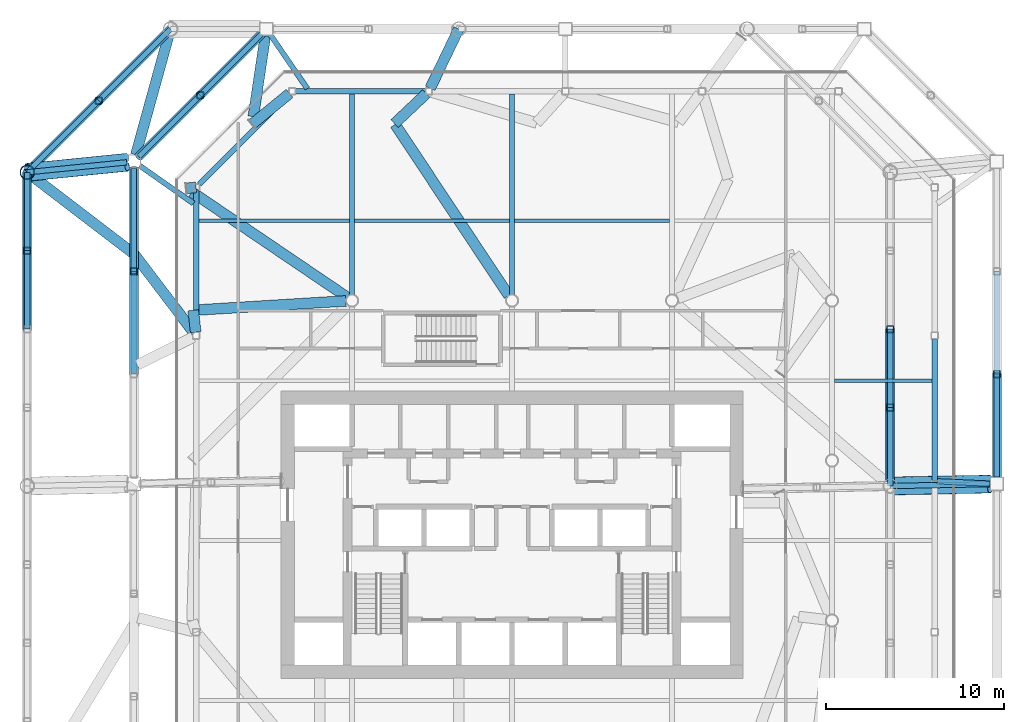
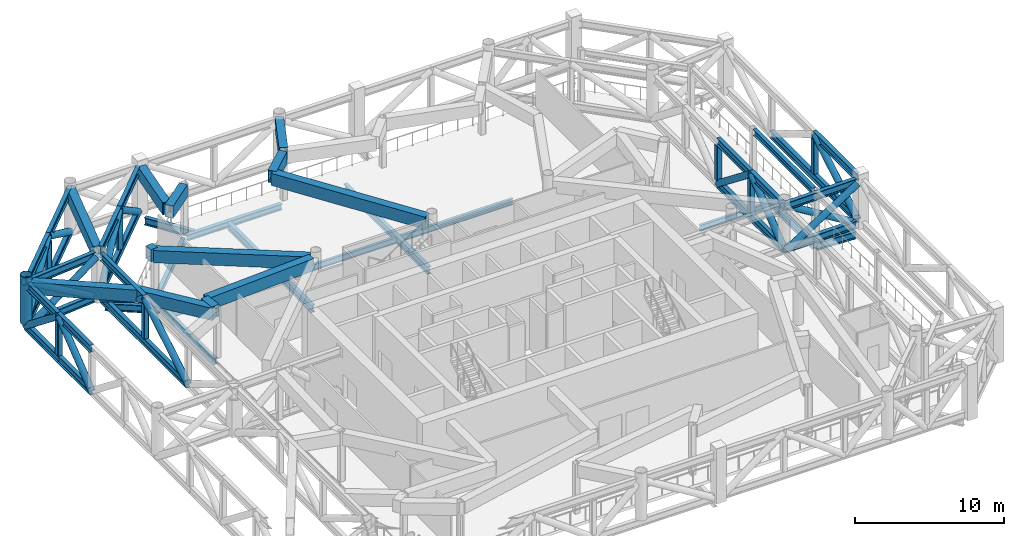
# One storey, part 6 of 21: 49 beams, 23 members.
"""IFC4 building model written with IfcOpenShell, lengths in metres."""

import ifcopenshell
import ifcopenshell.guid

model = None  # the IFC model being written
_history = None  # IfcOwnerHistory: only IFC2X3 demands one
_inside = {}  # id of a spatial element -> (the spatial element, [elements in it])
_under = {}  # id of a project, library or spatial element -> (it, [spatial elements below it])
_declared = {}  # id of a project -> (the project, [libraries it declares])
_typed = {}  # id of a type object -> (the type object, [elements of that type])
_made_of = {}  # id of a material, layer set ... -> (it, [elements and type objects made of it])


def new_model(schema):
    """Start an empty IFC model of exactly this schema.

    Asked for "IFC4X3", IfcOpenShell would pick the latest addendum, in which some entities
    have other attributes; the version numbers below select the first issue.
    IFC2X3 requires an IfcOwnerHistory on every rooted entity: one is made here for all.
    """
    global model, _history
    if schema == "IFC4X3":
        model = ifcopenshell.file(schema_version=(4, 3, 0, 0))
    else:
        model = ifcopenshell.file(schema=schema)
    _inside.clear()
    _under.clear()
    _declared.clear()
    _typed.clear()
    _made_of.clear()
    _history = None
    if model.schema == "IFC2X3":
        org = make("IfcOrganization", Name="unknown")
        user = make(
            "IfcPersonAndOrganization",
            ThePerson=make("IfcPerson", FamilyName="unknown"),
            TheOrganization=org,
        )
        app = make(
            "IfcApplication",
            ApplicationDeveloper=org,
            Version="unknown",
            ApplicationFullName="unknown",
            ApplicationIdentifier="unknown",
        )
        _history = make(
            "IfcOwnerHistory",
            OwningUser=user,
            OwningApplication=app,
            ChangeAction="ADDED",
            CreationDate=0,
        )
    return model


def make(cls, **values):
    """One entity of the class cls with the attributes given. An attribute that is None is left unset."""
    return model.create_entity(
        cls, **{name: value for name, value in values.items() if value is not None}
    )


def rooted(cls, **values):
    """An entity with a GlobalId (a new one), such as an element, a storey or a relation."""
    return make(cls, GlobalId=ifcopenshell.guid.new(), OwnerHistory=_history, **values)


def si_unit(unit_type, name, prefix=None):
    """IfcSIUnit, for example si_unit("LENGTHUNIT", "METRE", prefix="MILLI")."""
    return make("IfcSIUnit", UnitType=unit_type, Prefix=prefix, Name=name)


def assignment(units):
    """IfcUnitAssignment: the units of a project."""
    return None if units is None else make("IfcUnitAssignment", Units=units)


def point(xyz):
    """IfcCartesianPoint."""
    return None if xyz is None else make("IfcCartesianPoint", Coordinates=xyz)


def direction(xyz):
    """IfcDirection."""
    return None if xyz is None else make("IfcDirection", DirectionRatios=xyz)


def frame(location, z_axis=None, x_axis=None):
    """IfcAxis2Placement3D, a coordinate frame: its origin and axes. An axis left out is left unset."""
    return make(
        "IfcAxis2Placement3D",
        Location=point(location),
        Axis=direction(z_axis),
        RefDirection=direction(x_axis),
    )


def frame_2d(location, x_axis=None):
    """IfcAxis2Placement2D, a coordinate frame in the plane: its origin and x axis."""
    return make(
        "IfcAxis2Placement2D", Location=point(location), RefDirection=direction(x_axis)
    )


def origin():
    """The frame at (0, 0, 0) with its axes left unset."""
    return frame((0.0, 0.0, 0.0))


def origin_2d():
    """The frame at (0, 0) in the plane with its x axis left unset."""
    return frame_2d((0.0, 0.0))


def place(relative_to, where):
    """IfcLocalPlacement: puts the frame where relative to a parent placement (None: the world)."""
    return make(
        "IfcLocalPlacement", PlacementRelTo=relative_to, RelativePlacement=where
    )


def context(
    kind, dimensions, precision=None, world=None, true_north=None, identifier=None
):
    """IfcGeometricRepresentationContext, for example the 3D "Model" context."""
    return make(
        "IfcGeometricRepresentationContext",
        ContextIdentifier=identifier,
        ContextType=kind,
        CoordinateSpaceDimension=dimensions,
        Precision=precision,
        WorldCoordinateSystem=world,
        TrueNorth=true_north,
    )


def subcontext(parent, identifier, kind, view, scale=None):
    """IfcGeometricRepresentationSubContext, for example "Body" below "Model"."""
    return make(
        "IfcGeometricRepresentationSubContext",
        ContextIdentifier=identifier,
        ContextType=kind,
        ParentContext=parent,
        TargetScale=scale,
        TargetView=view,
    )


def project(units=None, contexts=None):
    """IfcProject with its units and contexts."""
    return rooted(
        "IfcProject",
        Name="project",
        RepresentationContexts=contexts,
        UnitsInContext=assignment(units),
    )


def spatial(cls, under=None, at=None, **own):
    """A site, building, storey or space (cls), placed at a placement, below another one or the project."""
    s = rooted(cls, ObjectPlacement=at, **own)
    if under is not None:
        _under.setdefault(under.id(), (under, []))[1].append(s)
    return s


def profile(cls, at=None, kind="AREA", **sizes):
    """A parametric profile (cls). Its sizes go by their IFC names, for example OverallWidth=200.0."""
    return make(cls, ProfileType=kind, Position=at, **sizes)


def hollow_rectangle(**sizes):
    """IfcRectangleHollowProfileDef."""
    return profile("IfcRectangleHollowProfileDef", **sizes)


def hollow_circle(**sizes):
    """IfcCircleHollowProfileDef."""
    return profile("IfcCircleHollowProfileDef", **sizes)


def i_section(**sizes):
    """IfcIShapeProfileDef."""
    return profile("IfcIShapeProfileDef", **sizes)


def extrude(swept, where, along, depth):
    """IfcExtrudedAreaSolid: the profile swept, set in the frame where, extruded along a direction by depth."""
    return make(
        "IfcExtrudedAreaSolid",
        SweptArea=swept,
        Position=where,
        ExtrudedDirection=direction(along),
        Depth=depth,
    )


def shape(context_of_items, identifier, shape_type, items):
    """IfcShapeRepresentation: the items that make up one representation, for example the "Body"."""
    return make(
        "IfcShapeRepresentation",
        ContextOfItems=context_of_items,
        RepresentationIdentifier=identifier,
        RepresentationType=shape_type,
        Items=items,
    )


def material(Name=None, Category=None):
    """IfcMaterial."""
    return make("IfcMaterial", Name=Name, Category=Category)


def material_profile(
    of_material, cross_section, Name=None, Category=None, Priority=None
):
    """IfcMaterialProfile: a cross section and its material."""
    return make(
        "IfcMaterialProfile",
        Name=Name,
        Material=of_material,
        Profile=cross_section,
        Priority=Priority,
        Category=Category,
    )


def profile_set(profiles, Name=None, composite=None):
    """IfcMaterialProfileSet."""
    return make(
        "IfcMaterialProfileSet",
        Name=Name,
        MaterialProfiles=profiles,
        CompositeProfile=composite,
    )


def made_of(thing, what):
    """Note that an element or type object is made of a material, layer set ...; save() writes the relation."""
    if what is not None:
        _made_of.setdefault(what.id(), (what, []))[1].append(thing)
    return thing


def type_object(cls, material=None, **own):
    """A type object (cls), such as IfcWallType, which elements share."""
    return made_of(rooted(cls, **own), material)


def element(
    cls,
    number,
    at=None,
    inside=None,
    cuts=None,
    type_object=None,
    material=None,
    context=None,
    identifier="Body",
    shape_type=None,
    held_by="IfcProductDefinitionShape",
    body=None,
    shapes=None,
    **own,
):
    """One element of the class cls, such as IfcWall. Its Tag is "e" and its number.

    at: its placement. inside: the storey or other place that contains it. cuts: it is an
    opening in that element (IfcRelVoidsElement). A single representation is given by context,
    identifier, shape_type and body (its items); several are given by shapes. held_by: the class
    of the entity that holds the representations. save() writes the other relations.
    """
    e = rooted(cls, Tag="e%d" % number, ObjectPlacement=at, **own)
    if body is not None:
        shapes = [shape(context, identifier, shape_type, body)]
    if shapes is not None:
        e.Representation = make(held_by, Representations=shapes)
    if inside is not None:
        _inside.setdefault(inside.id(), (inside, []))[1].append(e)
    if cuts is not None:
        rooted(
            "IfcRelVoidsElement", RelatingBuildingElement=cuts, RelatedOpeningElement=e
        )
    if type_object is not None:
        _typed.setdefault(type_object.id(), (type_object, []))[1].append(e)
    return made_of(e, material)


def aggregate(whole, parts):
    """IfcRelAggregates: a whole, such as a stair, and the parts it consists of."""
    return rooted("IfcRelAggregates", RelatingObject=whole, RelatedObjects=parts)


def save(model, path):
    """Write the relations noted so far, then the file.

    IfcRelAggregates (storeys below a building ...), IfcRelContainedInSpatialStructure (elements
    in a storey), IfcRelDefinesByType, IfcRelAssociatesMaterial and IfcRelDeclares: one each for
    every whole, place, type object, material and project.
    """
    for whole, parts in _under.values():
        aggregate(whole, parts)
    for where, things in _inside.values():
        rooted(
            "IfcRelContainedInSpatialStructure",
            RelatedElements=things,
            RelatingStructure=where,
        )
    for kind, things in _typed.values():
        rooted("IfcRelDefinesByType", RelatedObjects=things, RelatingType=kind)
    for what, things in _made_of.values():
        rooted("IfcRelAssociatesMaterial", RelatedObjects=things, RelatingMaterial=what)
    for by, libraries in _declared.values():
        rooted("IfcRelDeclares", RelatingContext=by, RelatedDefinitions=libraries)
    model.write(path)


model = new_model("IFC4")

# Units and contexts
model_context = context("Model", 3, precision=1e-05, world=origin(), true_north=direction((0.0, 1.0)))
body_context = subcontext(model_context, "Body", "Model", "MODEL_VIEW")
ifc_project = project(units=[si_unit("LENGTHUNIT", "METRE"), si_unit("AREAUNIT", "SQUARE_METRE"), si_unit("VOLUMEUNIT", "CUBIC_METRE"), si_unit("PLANEANGLEUNIT", "RADIAN"), si_unit("MASSUNIT", "GRAM", prefix="KILO")], contexts=[model_context])

# Site, building, storey
site_placement = place(None, origin())
site = spatial("IfcSite", under=ifc_project, at=site_placement, CompositionType="ELEMENT")
building_placement = place(site_placement, origin())
building = spatial("IfcBuilding", under=site, at=building_placement, Name="Tskaro Facet Tower", CompositionType="ELEMENT")
storey_placement = place(building_placement, frame((0.0, 0.0, 167.699951171875)))
storey = spatial("IfcBuildingStorey", under=building, at=storey_placement, Name="L41", CompositionType="ELEMENT", Elevation=167.699951171875)

# Beams
ifc_material_1 = material(Name="Steel S355J2", Category="steel")
ifc_material_profile_1 = material_profile(ifc_material_1, hollow_rectangle(XDim=0.60009765625, YDim=1.0, WallThickness=0.0400390625, at=origin_2d()), Name="BOX 600x1000x40")
ifc_profile_set_1 = profile_set([ifc_material_profile_1], Name="Steel S355J2")
beam_type_1 = type_object("IfcBeamType", Name="BOX 600x1000x40 transfer girder", PredefinedType="BEAM", material=ifc_profile_set_1)
beam_1_placement = place(storey_placement, frame((-18.31396484375, 15.31396484375, 3.580078125), z_axis=(0.995046093946, 0.099414641393, 0.0), x_axis=(-0.099414641393, 0.995046093946, 0.0)))
element("IfcBeam", 1, at=beam_1_placement, inside=storey, type_object=beam_type_1, Name="BOX 600x1000x40 TG4-1", PredefinedType="BEAM", context=body_context, shape_type="SweptSolid", body=[
    extrude(hollow_rectangle(XDim=0.60009765625, YDim=1.0, WallThickness=0.0400390625, at=origin_2d()), origin(), (0.0, 0.0, 1.0), 0.542724609375),
])
beam_2_placement = place(storey_placement, frame((-18.01611328125, 15.112060546875, 3.580078125), z_axis=(0.827734191557, -0.561120404305, 0.0), x_axis=(0.561120404305, 0.827734191557, 0.0)))
element("IfcBeam", 2, at=beam_2_placement, inside=storey, type_object=beam_type_1, Name="BOX 600x1000x40 TG4-2", PredefinedType="BEAM", context=body_context, shape_type="SweptSolid", body=[
    extrude(hollow_rectangle(XDim=0.60009765625, YDim=1.0, WallThickness=0.0400390625, at=origin_2d()), origin(), (0.0, 0.0, 1.0), 10.547119140625),
])
beam_3_placement = place(storey_placement, frame((-17.9375, 8.45361328125, 3.580078125), z_axis=(0.113761956799, -0.993508035793, 0.0), x_axis=(0.993508035793, 0.113761956799, 0.0)))
element("IfcBeam", 3, at=beam_3_placement, inside=storey, type_object=beam_type_1, Name="BOX 600x1000x40 TG4-9", PredefinedType="BEAM", context=body_context, shape_type="SweptSolid", body=[
    extrude(hollow_rectangle(XDim=0.60009765625, YDim=1.0, WallThickness=0.0400390625, at=origin_2d()), origin(), (0.0, 0.0, 1.0), 1.246826171875),
])
beam_4_placement = place(storey_placement, frame((-17.817626953125, 8.4609375, 3.580078125), z_axis=(0.998135828035, 0.061031703178, 0.0), x_axis=(-0.061031703178, 0.998135828035, 0.0)))
element("IfcBeam", 4, at=beam_4_placement, inside=storey, type_object=beam_type_1, Name="BOX 600x1000x40 TG4-10", PredefinedType="BEAM", context=body_context, shape_type="SweptSolid", body=[
    extrude(hollow_rectangle(XDim=0.60009765625, YDim=1.0, WallThickness=0.0400390625, at=origin_2d()), origin(), (0.0, 0.0, 1.0), 8.488525390625),
])
beam_5_placement = place(storey_placement, frame((-6.6142578125, 18.959716796875, 3.580078125), z_axis=(0.72866036985, 0.684875218861, 0.0), x_axis=(-0.684875218861, 0.72866036985, 0.0)))
element("IfcBeam", 5, at=beam_5_placement, inside=storey, type_object=beam_type_1, Name="BOX 600x1000x40 TG4-24", PredefinedType="BEAM", context=body_context, shape_type="SweptSolid", body=[
    extrude(hollow_rectangle(XDim=0.60009765625, YDim=1.0, WallThickness=0.0400390625, at=origin_2d()), origin(), (0.0, 0.0, 1.0), 2.458984375),
])
beam_6_placement = place(storey_placement, frame((-6.5810546875, 18.90966796875, 3.580078125), z_axis=(0.553221349964, -0.833034295779, 0.0), x_axis=(0.833034295779, 0.553221349964, 0.0)))
element("IfcBeam", 6, at=beam_6_placement, inside=storey, type_object=beam_type_1, Name="BOX 600x1000x40 TG4-25", PredefinedType="BEAM", context=body_context, shape_type="SweptSolid", body=[
    extrude(hollow_rectangle(XDim=0.60009765625, YDim=1.0, WallThickness=0.0400390625, at=origin_2d()), origin(), (0.0, 0.0, 1.0), 11.55029296875),
])
beam_7_placement = place(storey_placement, frame((-14.620361328125, 18.93115234375, 3.580078125), z_axis=(0.773921308764, 0.633281776022, 0.0), x_axis=(-0.633281776022, 0.773921308764, 0.0)))
element("IfcBeam", 7, at=beam_7_placement, inside=storey, type_object=beam_type_1, Name="BOX 600x1000x40 TG4-26", PredefinedType="BEAM", context=body_context, shape_type="SweptSolid", body=[
    extrude(hollow_rectangle(XDim=0.60009765625, YDim=1.0, WallThickness=0.0400390625, at=origin_2d()), origin(), (0.0, 0.0, 1.0), 2.72021484375),
])
beam_8_placement = place(storey_placement, frame((-14.55810546875, 19.3466796875, 3.580078125), z_axis=(0.148306673524, 0.988941419189, 0.0), x_axis=(-0.988941419189, 0.148306673524, 0.0)))
element("IfcBeam", 8, at=beam_8_placement, inside=storey, type_object=beam_type_1, Name="BOX 600x1000x40 TG4-27", PredefinedType="BEAM", context=body_context, shape_type="SweptSolid", body=[
    extrude(hollow_rectangle(XDim=0.60009765625, YDim=1.0, WallThickness=0.0400390625, at=origin_2d()), origin(), (0.0, 0.0, 1.0), 4.594482421875),
])
beam_9_placement = place(storey_placement, frame((-3.0, 24.27587890625, 3.580078125), z_axis=(-0.433366667075, -0.901217693939, 0.0), x_axis=(0.901217693939, -0.433366667075, 0.0)))
element("IfcBeam", 9, at=beam_9_placement, inside=storey, type_object=beam_type_1, Name="BOX 600x1000x40 TG4-31", PredefinedType="BEAM", context=body_context, shape_type="SweptSolid", body=[
    extrude(hollow_rectangle(XDim=0.60009765625, YDim=1.0, WallThickness=0.0400390625, at=origin_2d()), origin(), (0.0, 0.0, 1.0), 3.695556640625),
])
beam_10_placement = place(storey_placement, frame((-21.25048828125, 11.60791015625, 3.580078125), z_axis=(0.604429715741, -0.796658470569, 0.0), x_axis=(0.796658470569, 0.604429715741, 0.0)))
element("IfcBeam", 10, at=beam_10_placement, inside=storey, type_object=beam_type_1, Name="BOX 600x1000x40 TG4-43", PredefinedType="BEAM", context=body_context, shape_type="SweptSolid", body=[
    extrude(hollow_rectangle(XDim=0.60009765625, YDim=1.0, WallThickness=0.0400390625, at=origin_2d()), origin(), (0.0, 0.0, 1.0), 5.5615234375),
])
beam_11_placement = place(storey_placement, frame((-19.216064453125, 24.27587890625, 3.580078125), z_axis=(-0.266265501598, -0.963899726454, 0.0), x_axis=(0.963899726454, -0.266265501598, 0.0)))
element("IfcBeam", 11, at=beam_11_placement, inside=storey, type_object=beam_type_1, Name="BOX 600x1000x40 TG4-46", PredefinedType="BEAM", context=body_context, shape_type="SweptSolid", body=[
    extrude(hollow_rectangle(XDim=0.60009765625, YDim=1.0, WallThickness=0.0400390625, at=origin_2d()), origin(), (0.0, 0.0, 1.0), 7.34619140625),
])
beam_12_placement = place(storey_placement, frame((-27.27587890625, 16.216064453125, 3.580078125), z_axis=(0.794325857693, -0.607491919123, 0.0), x_axis=(0.607491919123, 0.794325857693, 0.0)))
element("IfcBeam", 12, at=beam_12_placement, inside=storey, type_object=beam_type_1, Name="BOX 600x1000x40 TG4-50", PredefinedType="BEAM", context=body_context, shape_type="SweptSolid", body=[
    extrude(hollow_rectangle(XDim=0.60009765625, YDim=1.0, WallThickness=0.0400390625, at=origin_2d()), origin(), (0.0, 0.0, 1.0), 7.58544921875),
])

# Members
ifc_material_2 = material(Name="Steel S355J2H", Category="steel")
ifc_material_profile_2 = material_profile(ifc_material_2, hollow_circle(Radius=0.25390625, WallThickness=0.02490234375, at=origin_2d()), Name="CHS 508x25")
ifc_profile_set_2 = profile_set([ifc_material_profile_2], Name="Steel S355J2H")
member_type_1 = type_object("IfcMemberType", Name="CHS 508x25 belt diagonal", PredefinedType="BRACE", material=ifc_profile_set_2)
member_1_placement = place(storey_placement, frame((27.27587890625, -0.916015625, 0.31005859375), z_axis=(0.0, 0.857953163996, 0.5137279128), x_axis=(-1.0, 0.0, 0.0)))
element("IfcMember", 13, at=member_1_placement, inside=storey, type_object=member_type_1, Name="CHS 508x25 BD3-051", PredefinedType="BRACE", context=body_context, shape_type="SweptSolid", body=[
    extrude(hollow_circle(Radius=0.25390625, WallThickness=0.02490234375, at=origin_2d()), origin(), (0.0, 0.0, 1.0), 6.735107421875),
])
for number, where, z_axis, x_axis, name in (
    (14, (-14.101806640625, 23.9931640625, 0.31005859375), (-0.576572998174, -0.576532147033, 0.578942364328), (0.707081730019, -0.707131831467, 0.0), "CHS 508x25 BD3-091"),
    (15, (-17.547607421875, 20.547607421875, 3.77001953125), (-0.576532147033, -0.576572998174, -0.578942364328), (0.707131831467, -0.707081730019, 0.0), "CHS 508x25 BD3-092"),
):
    element("IfcMember", number, at=place(storey_placement, frame(where, z_axis=z_axis, x_axis=x_axis)), inside=storey, type_object=member_type_1, Name=name, PredefinedType="BRACE", context=body_context, shape_type="SweptSolid", body=[
        extrude(hollow_circle(Radius=0.25390625, WallThickness=0.02490234375, at=origin_2d()), origin(), (0.0, 0.0, 1.0), 5.976318359375),
    ])
for number, where, z_axis, x_axis, name in (
    (16, (-21.27587890625, 16.4189453125, 0.31005859375), (0.0, -0.857953163996, 0.5137279128), (1.0, 0.0, 0.0), "CHS 508x25 BD3-101"),
    (17, (-21.27587890625, 10.640625, 3.77001953125), (0.0, -0.857953163996, -0.5137279128), (1.0, 0.0, 0.0), "CHS 508x25 BD3-102"),
):
    element("IfcMember", number, at=place(storey_placement, frame(where, z_axis=z_axis, x_axis=x_axis)), inside=storey, type_object=member_type_1, Name=name, PredefinedType="BRACE", context=body_context, shape_type="SweptSolid", body=[
        extrude(hollow_circle(Radius=0.25390625, WallThickness=0.02490234375, at=origin_2d()), origin(), (0.0, 0.0, 1.0), 6.735107421875),
    ])
for number, where, z_axis, x_axis, name in (
    (18, (21.27587890625, -1.43408203125, 0.31005859375), (0.0, 0.786931348807, 0.61704055966), (-1.0, 0.0, 0.0), "CHS 508x25 TB3-05-D1"),
    (19, (21.27587890625, 2.978515625, 3.77001953125), (0.0, 0.786931348807, -0.61704055966), (-1.0, 0.0, 0.0), "CHS 508x25 TB3-05-D2"),
):
    element("IfcMember", number, at=place(storey_placement, frame(where, z_axis=z_axis, x_axis=x_axis)), inside=storey, type_object=member_type_1, Name=name, PredefinedType="BRACE", context=body_context, shape_type="SweptSolid", body=[
        extrude(hollow_circle(Radius=0.25390625, WallThickness=0.02490234375, at=origin_2d()), origin(), (0.0, 0.0, 1.0), 5.607421875),
    ])
for number, where, z_axis, x_axis, name in (
    (20, (-19.216064453125, 24.27587890625, 0.31005859375), (-0.604455505084, -0.604418886952, 0.518952166841), (0.707085361822, -0.707128199903, 0.0), "CHS 508x25 TB3-09-D1"),
    (21, (-23.24609375, 20.24609375, 3.77001953125), (-0.604418886952, -0.604455505084, -0.518952166841), (0.707128199903, -0.707085361822, 0.0), "CHS 508x25 TB3-09-D2"),
):
    element("IfcMember", number, at=place(storey_placement, frame(where, z_axis=z_axis, x_axis=x_axis)), inside=storey, type_object=member_type_1, Name=name, PredefinedType="BRACE", context=body_context, shape_type="SweptSolid", body=[
        extrude(hollow_circle(Radius=0.25390625, WallThickness=0.02490234375, at=origin_2d()), origin(), (0.0, 0.0, 1.0), 6.667236328125),
    ])
member_2_placement = place(storey_placement, frame((-27.27587890625, 16.216064453125, 0.31005859375), z_axis=(0.0, -0.786931348807, 0.61704055966), x_axis=(1.0, 0.0, 0.0)))
element("IfcMember", 22, at=member_2_placement, inside=storey, type_object=member_type_1, Name="CHS 508x25 TB3-10-D1", PredefinedType="BRACE", context=body_context, shape_type="SweptSolid", body=[
    extrude(hollow_circle(Radius=0.25390625, WallThickness=0.02490234375, at=origin_2d()), origin(), (0.0, 0.0, 1.0), 5.607421875),
])
member_3_placement = place(storey_placement, frame((-27.27587890625, 11.803466796875, 3.77001953125), z_axis=(0.0, -0.7869147708, -0.617061701531), x_axis=(1.0, 0.0, 0.0)))
element("IfcMember", 23, at=member_3_placement, inside=storey, type_object=member_type_1, Name="CHS 508x25 TB3-10-D2", PredefinedType="BRACE", context=body_context, shape_type="SweptSolid", body=[
    extrude(hollow_circle(Radius=0.25390625, WallThickness=0.02490234375, at=origin_2d()), origin(), (0.0, 0.0, 1.0), 5.607177734375),
])
for number, where, z_axis, x_axis, name in (
    (24, (26.87109375, -1.06982421875, 0.31005859375), (-0.850605851025, -0.016724354295, 0.525537802804), (0.019657897417, -0.999806764865, 0.0), "CHS 508x25 TL3-05A-D1"),
    (25, (26.881103515625, -1.577880859375, 3.77001953125), (-0.850605851025, -0.016724354295, -0.525537802804), (0.019657897417, -0.999806764865, 0.0), "CHS 508x25 TL3-05A-D2"),
):
    element("IfcMember", number, at=place(storey_placement, frame(where, z_axis=z_axis, x_axis=x_axis)), inside=storey, type_object=member_type_1, Name=name, PredefinedType="BRACE", context=body_context, shape_type="SweptSolid", body=[
        extrude(hollow_circle(Radius=0.25390625, WallThickness=0.02490234375, at=origin_2d()), origin(), (0.0, 0.0, 1.0), 6.583740234375),
    ])
member_4_placement = place(storey_placement, frame((-21.699462890625, 17.03173828125, 0.31005859375), z_axis=(-0.847713672527, -0.085192527188, 0.52356829805), x_axis=(0.099993141267, -0.994988126411, 0.0)))
element("IfcMember", 26, at=member_4_placement, inside=storey, type_object=member_type_1, Name="CHS 508x25 TL3-10A-D1", PredefinedType="BRACE", context=body_context, shape_type="SweptSolid", body=[
    extrude(hollow_circle(Radius=0.25390625, WallThickness=0.02490234375, at=origin_2d()), origin(), (0.0, 0.0, 1.0), 6.6083984375),
])
member_5_placement = place(storey_placement, frame((-21.648681640625, 16.5263671875, 3.77001953125), z_axis=(-0.84770327672, -0.085195195298, -0.523584695475), x_axis=(0.099997455639, -0.994987692821, 0.0)))
element("IfcMember", 27, at=member_5_placement, inside=storey, type_object=member_type_1, Name="CHS 508x25 TL3-10A-D2", PredefinedType="BRACE", context=body_context, shape_type="SweptSolid", body=[
    extrude(hollow_circle(Radius=0.25390625, WallThickness=0.02490234375, at=origin_2d()), origin(), (0.0, 0.0, 1.0), 6.608154296875),
])
ifc_material_profile_3 = material_profile(ifc_material_2, hollow_circle(Radius=0.406494140625, WallThickness=0.035888671875, at=origin_2d()), Name="CHS 812.8x36")
ifc_profile_set_3 = profile_set([ifc_material_profile_3], Name="Steel S355J2H")
member_type_2 = type_object("IfcMemberType", Name="CHS 812.8x36 transfer node post", PredefinedType="POST", material=ifc_profile_set_3)
member_6_placement = place(storey_placement, frame((-27.27587890625, 16.216064453125, 0.6201171875), z_axis=(0.0, 0.0, 1.0), x_axis=(1.0, 0.0, 0.0)))
element("IfcMember", 28, at=member_6_placement, inside=storey, type_object=member_type_2, Name="CHS 812.8x36 TN3-10", PredefinedType="POST", context=body_context, shape_type="SweptSolid", body=[
    extrude(hollow_circle(Radius=0.406494140625, WallThickness=0.035888671875, at=origin_2d()), origin(), (0.0, 0.0, 1.0), 3.8798828125),
])

# Beams
ifc_material_profile_4 = material_profile(ifc_material_1, i_section(OverallWidth=0.300048828125, OverallDepth=0.5, WebThickness=0.014404296875, FlangeThickness=0.028076171875, FilletRadius=0.027099609375, at=origin_2d()), Name="HE 500 B")
ifc_profile_set_4 = profile_set([ifc_material_profile_4], Name="Steel S355J2")
beam_type_2 = type_object("IfcBeamType", Name="HE 500 B ring beam", PredefinedType="BEAM", material=ifc_profile_set_4)
beam_13_placement = place(storey_placement, frame((23.77392578125, -1.135986328125, -0.5), z_axis=(0.0, 1.0, 0.0), x_axis=(-1.0, 0.0, 0.0)))
element("IfcBeam", 29, at=beam_13_placement, inside=storey, type_object=beam_type_2, Name="HE 500 B EB8-3", PredefinedType="BEAM", context=body_context, shape_type="SweptSolid", body=[
    extrude(i_section(OverallWidth=0.300048828125, OverallDepth=0.5, WebThickness=0.014404296875, FlangeThickness=0.028076171875, FilletRadius=0.027099609375, at=origin_2d()), origin(), (0.0, 0.0, 1.0), 7.98193359375),
])
beam_14_placement = place(storey_placement, frame((-4.864013671875, 20.77392578125, -0.5), z_axis=(-1.0, 0.0, 0.0), x_axis=(0.0, -1.0, 0.0)))
element("IfcBeam", 30, at=beam_14_placement, inside=storey, type_object=beam_type_2, Name="HE 500 B EB14-3", PredefinedType="BEAM", context=body_context, shape_type="SweptSolid", body=[
    extrude(i_section(OverallWidth=0.300048828125, OverallDepth=0.5, WebThickness=0.014404296875, FlangeThickness=0.028076171875, FilletRadius=0.027099609375, at=origin_2d()), origin(), (0.0, 0.0, 1.0), 7.323974609375),
])
beam_15_placement = place(storey_placement, frame((-12.553955078125, 20.588134765625, -0.5), z_axis=(-0.707106781187, -0.707106781187, 0.0), x_axis=(0.707106781187, -0.707106781187, 0.0)))
element("IfcBeam", 31, at=beam_15_placement, inside=storey, type_object=beam_type_2, Name="HE 500 B EB15-3", PredefinedType="BEAM", context=body_context, shape_type="SweptSolid", body=[
    extrude(i_section(OverallWidth=0.300048828125, OverallDepth=0.5, WebThickness=0.014404296875, FlangeThickness=0.028076171875, FilletRadius=0.027099609375, at=origin_2d()), origin(), (0.0, 0.0, 1.0), 7.119384765625),
])
for number, where, z_axis, x_axis, name in (
    (32, (-17.77392578125, 15.18798828125, -0.5), (0.0, -1.0, 0.0), (1.0, 0.0, 0.0), "HE 500 B EB16-3"),
    (33, (23.77392578125, -1.135986328125, 4.0), (0.0, 1.0, 0.0), (-1.0, 0.0, 0.0), "HE 500 B EB8-3R"),
):
    element("IfcBeam", number, at=place(storey_placement, frame(where, z_axis=z_axis, x_axis=x_axis)), inside=storey, type_object=beam_type_2, Name=name, PredefinedType="BEAM", context=body_context, shape_type="SweptSolid", body=[
        extrude(i_section(OverallWidth=0.300048828125, OverallDepth=0.5, WebThickness=0.014404296875, FlangeThickness=0.028076171875, FilletRadius=0.027099609375, at=origin_2d()), origin(), (0.0, 0.0, 1.0), 7.98193359375),
    ])
ifc_material_profile_5 = material_profile(ifc_material_1, i_section(OverallWidth=0.300048828125, OverallDepth=0.590087890625, WebThickness=0.012939453125, FlangeThickness=0.02490234375, FilletRadius=0.027099609375, at=origin_2d()), Name="HE 600 A")
ifc_profile_set_5 = profile_set([ifc_material_profile_5], Name="Steel S355J2")
beam_type_3 = type_object("IfcBeamType", Name="HE 600 A girder", PredefinedType="BEAM", material=ifc_profile_set_5)
for number, where, z_axis, x_axis, name in (
    (34, (-9.0, 9.325439453125, -0.544921875), (0.0, 1.0, 0.0), (-1.0, 0.0, 0.0), "HE 600 A GB3-3-3"),
    (35, (0.0, 9.325439453125, -0.544921875), (0.0, 1.0, 0.0), (-1.0, 0.0, 0.0), "HE 600 A GB4-3-3"),
):
    element("IfcBeam", number, at=place(storey_placement, frame(where, z_axis=z_axis, x_axis=x_axis)), inside=storey, type_object=beam_type_3, Name=name, PredefinedType="BEAM", context=body_context, shape_type="SweptSolid", body=[
        extrude(i_section(OverallWidth=0.300048828125, OverallDepth=0.590087890625, WebThickness=0.012939453125, FlangeThickness=0.02490234375, FilletRadius=0.027099609375, at=origin_2d()), origin(), (0.0, 0.0, 1.0), 11.298583984375),
    ])
ifc_material_profile_6 = material_profile(ifc_material_1, i_section(OverallWidth=0.300048828125, OverallDepth=0.60009765625, WebThickness=0.015380859375, FlangeThickness=0.030029296875, FilletRadius=0.027099609375, at=origin_2d()), Name="HE 600 B")
ifc_profile_set_6 = profile_set([ifc_material_profile_6], Name="Steel S355J2")
beam_type_4 = type_object("IfcBeamType", Name="HE 600 B floor strut", PredefinedType="BEAM", material=ifc_profile_set_6)
beam_16_placement = place(storey_placement, frame((26.87646484375, -1.29833984375, -0.550048828125), z_axis=(-0.999019173568, 0.044279688831, 0.0), x_axis=(-0.044279688831, -0.999019173568, 0.0)))
element("IfcBeam", 36, at=beam_16_placement, inside=storey, type_object=beam_type_4, Name="HE 600 B ES3-05", PredefinedType="BEAM", context=body_context, shape_type="SweptSolid", body=[
    extrude(i_section(OverallWidth=0.300048828125, OverallDepth=0.60009765625, WebThickness=0.015380859375, FlangeThickness=0.030029296875, FilletRadius=0.027099609375, at=origin_2d()), origin(), (0.0, 0.0, 1.0), 2.955322265625),
])
beam_17_placement = place(storey_placement, frame((-13.5927734375, 23.946044921875, -0.550048828125), z_axis=(0.565719945605, -0.824597443087, 0.0), x_axis=(0.824597443087, 0.565719945605, 0.0)))
element("IfcBeam", 37, at=beam_17_placement, inside=storey, type_object=beam_type_4, Name="HE 600 B ES3-09", PredefinedType="BEAM", context=body_context, shape_type="SweptSolid", body=[
    extrude(i_section(OverallWidth=0.300048828125, OverallDepth=0.60009765625, WebThickness=0.015380859375, FlangeThickness=0.030029296875, FilletRadius=0.027099609375, at=origin_2d()), origin(), (0.0, 0.0, 1.0), 3.664794921875),
])
beam_18_placement = place(storey_placement, frame((-20.94873046875, 16.589111328125, -0.550048828125), z_axis=(0.81815391254, -0.574999282952, 0.0), x_axis=(0.574999282952, 0.81815391254, 0.0)))
element("IfcBeam", 38, at=beam_18_placement, inside=storey, type_object=beam_type_4, Name="HE 600 B ES3-10", PredefinedType="BEAM", context=body_context, shape_type="SweptSolid", body=[
    extrude(i_section(OverallWidth=0.300048828125, OverallDepth=0.60009765625, WebThickness=0.015380859375, FlangeThickness=0.030029296875, FilletRadius=0.027099609375, at=origin_2d()), origin(), (0.0, 0.0, 1.0), 3.697021484375),
])
ifc_material_profile_7 = material_profile(ifc_material_1, i_section(OverallWidth=0.304931640625, OverallDepth=0.6201171875, WebThickness=0.02099609375, FlangeThickness=0.0400390625, FilletRadius=0.027099609375, at=origin_2d()), Name="HE 600 M")
ifc_profile_set_7 = profile_set([ifc_material_profile_7], Name="Steel S355J2")
beam_type_5 = type_object("IfcBeamType", Name="HE 600 M belt chord", PredefinedType="BEAM", material=ifc_profile_set_7)
beam_19_placement = place(storey_placement, frame((27.27587890625, -0.916015625, 3.77001953125), z_axis=(0.0, 1.0, 0.0), x_axis=(-1.0, 0.0, 0.0)))
element("IfcBeam", 39, at=beam_19_placement, inside=storey, type_object=beam_type_5, Name="HE 600 M BT3-05T1", PredefinedType="BEAM", context=body_context, shape_type="SweptSolid", body=[
    extrude(i_section(OverallWidth=0.304931640625, OverallDepth=0.6201171875, WebThickness=0.02099609375, FlangeThickness=0.0400390625, FilletRadius=0.027099609375, at=origin_2d()), origin(), (0.0, 0.0, 1.0), 5.7783203125),
])
beam_20_placement = place(storey_placement, frame((27.27587890625, -0.916015625, 0.31005859375), z_axis=(0.0, 1.0, 0.0), x_axis=(-1.0, 0.0, 0.0)))
element("IfcBeam", 40, at=beam_20_placement, inside=storey, type_object=beam_type_5, Name="HE 600 M BT3-05B1", PredefinedType="BEAM", context=body_context, shape_type="SweptSolid", body=[
    extrude(i_section(OverallWidth=0.304931640625, OverallDepth=0.6201171875, WebThickness=0.02099609375, FlangeThickness=0.0400390625, FilletRadius=0.027099609375, at=origin_2d()), origin(), (0.0, 0.0, 1.0), 11.556640625),
])
for number, where, z_axis, x_axis, name in (
    (41, (-14.101806640625, 23.9931640625, 3.77001953125), (-0.707131831467, -0.707081730019, 0.0), (0.707081730019, -0.707131831467, 0.0), "HE 600 M BT3-09T1"),
    (42, (-17.547607421875, 20.547607421875, 3.77001953125), (-0.707081730019, -0.707131831467, 0.0), (0.707131831467, -0.707081730019, 0.0), "HE 600 M BT3-09T2"),
):
    element("IfcBeam", number, at=place(storey_placement, frame(where, z_axis=z_axis, x_axis=x_axis)), inside=storey, type_object=beam_type_5, Name=name, PredefinedType="BEAM", context=body_context, shape_type="SweptSolid", body=[
        extrude(i_section(OverallWidth=0.304931640625, OverallDepth=0.6201171875, WebThickness=0.02099609375, FlangeThickness=0.0400390625, FilletRadius=0.027099609375, at=origin_2d()), origin(), (0.0, 0.0, 1.0), 4.873046875),
    ])
beam_21_placement = place(storey_placement, frame((-14.101806640625, 23.9931640625, 0.31005859375), z_axis=(-0.707106781187, -0.707106781187, 0.0), x_axis=(0.707106781187, -0.707106781187, 0.0)))
element("IfcBeam", 43, at=beam_21_placement, inside=storey, type_object=beam_type_5, Name="HE 600 M BT3-09B1", PredefinedType="BEAM", context=body_context, shape_type="SweptSolid", body=[
    extrude(i_section(OverallWidth=0.304931640625, OverallDepth=0.6201171875, WebThickness=0.02099609375, FlangeThickness=0.0400390625, FilletRadius=0.027099609375, at=origin_2d()), origin(), (0.0, 0.0, 1.0), 9.745849609375),
])
beam_22_placement = place(storey_placement, frame((-21.27587890625, 16.4189453125, 3.77001953125), z_axis=(0.0, -1.0, 0.0), x_axis=(1.0, 0.0, 0.0)))
element("IfcBeam", 44, at=beam_22_placement, inside=storey, type_object=beam_type_5, Name="HE 600 M BT3-10T1", PredefinedType="BEAM", context=body_context, shape_type="SweptSolid", body=[
    extrude(i_section(OverallWidth=0.304931640625, OverallDepth=0.6201171875, WebThickness=0.02099609375, FlangeThickness=0.0400390625, FilletRadius=0.027099609375, at=origin_2d()), origin(), (0.0, 0.0, 1.0), 5.7783203125),
])
beam_23_placement = place(storey_placement, frame((-21.27587890625, 16.4189453125, 0.31005859375), z_axis=(0.0, -1.0, 0.0), x_axis=(1.0, 0.0, 0.0)))
element("IfcBeam", 45, at=beam_23_placement, inside=storey, type_object=beam_type_5, Name="HE 600 M BT3-10B1", PredefinedType="BEAM", context=body_context, shape_type="SweptSolid", body=[
    extrude(i_section(OverallWidth=0.304931640625, OverallDepth=0.6201171875, WebThickness=0.02099609375, FlangeThickness=0.0400390625, FilletRadius=0.027099609375, at=origin_2d()), origin(), (0.0, 0.0, 1.0), 11.556640625),
])
for number, where, z_axis, x_axis, name in (
    (46, (21.27587890625, -1.43408203125, 3.77001953125), (0.0, 1.0, 0.0), (-1.0, 0.0, 0.0), "HE 600 M TB3-05-T1"),
    (47, (21.27587890625, -1.43408203125, 0.31005859375), (0.0, 1.0, 0.0), (-1.0, 0.0, 0.0), "HE 600 M TB3-05-B1"),
    (48, (21.27587890625, 2.978515625, 3.77001953125), (0.0, 1.0, 0.0), (-1.0, 0.0, 0.0), "HE 600 M TB3-05-T2"),
    (49, (21.27587890625, 2.978515625, 0.31005859375), (0.0, 1.0, 0.0), (-1.0, 0.0, 0.0), "HE 600 M TB3-05-B2"),
):
    element("IfcBeam", number, at=place(storey_placement, frame(where, z_axis=z_axis, x_axis=x_axis)), inside=storey, type_object=beam_type_5, Name=name, PredefinedType="BEAM", context=body_context, shape_type="SweptSolid", body=[
        extrude(i_section(OverallWidth=0.304931640625, OverallDepth=0.6201171875, WebThickness=0.02099609375, FlangeThickness=0.0400390625, FilletRadius=0.027099609375, at=origin_2d()), origin(), (0.0, 0.0, 1.0), 4.41259765625),
    ])
for number, where, z_axis, x_axis, name in (
    (50, (-19.216064453125, 24.27587890625, 3.77001953125), (-0.707128199903, -0.707085361822, 0.0), (0.707085361822, -0.707128199903, 0.0), "HE 600 M TB3-09-T1"),
    (51, (-19.216064453125, 24.27587890625, 0.31005859375), (-0.707128199903, -0.707085361822, 0.0), (0.707085361822, -0.707128199903, 0.0), "HE 600 M TB3-09-B1"),
    (52, (-23.24609375, 20.24609375, 3.77001953125), (-0.707085361822, -0.707128199903, 0.0), (0.707128199903, -0.707085361822, 0.0), "HE 600 M TB3-09-T2"),
    (53, (-23.24609375, 20.24609375, 0.31005859375), (-0.707085361822, -0.707128199903, 0.0), (0.707128199903, -0.707085361822, 0.0), "HE 600 M TB3-09-B2"),
):
    element("IfcBeam", number, at=place(storey_placement, frame(where, z_axis=z_axis, x_axis=x_axis)), inside=storey, type_object=beam_type_5, Name=name, PredefinedType="BEAM", context=body_context, shape_type="SweptSolid", body=[
        extrude(i_section(OverallWidth=0.304931640625, OverallDepth=0.6201171875, WebThickness=0.02099609375, FlangeThickness=0.0400390625, FilletRadius=0.027099609375, at=origin_2d()), origin(), (0.0, 0.0, 1.0), 5.69921875),
    ])
for number, where, z_axis, x_axis, name in (
    (54, (-27.27587890625, 16.216064453125, 3.77001953125), (0.0, -1.0, 0.0), (1.0, 0.0, 0.0), "HE 600 M TB3-10-T1"),
    (55, (-27.27587890625, 16.216064453125, 0.31005859375), (0.0, -1.0, 0.0), (1.0, 0.0, 0.0), "HE 600 M TB3-10-B1"),
):
    element("IfcBeam", number, at=place(storey_placement, frame(where, z_axis=z_axis, x_axis=x_axis)), inside=storey, type_object=beam_type_5, Name=name, PredefinedType="BEAM", context=body_context, shape_type="SweptSolid", body=[
        extrude(i_section(OverallWidth=0.304931640625, OverallDepth=0.6201171875, WebThickness=0.02099609375, FlangeThickness=0.0400390625, FilletRadius=0.027099609375, at=origin_2d()), origin(), (0.0, 0.0, 1.0), 4.41259765625),
    ])
for number, where, z_axis, x_axis, name in (
    (56, (-27.27587890625, 11.803466796875, 3.77001953125), (0.0, -1.0, 0.0), (1.0, 0.0, 0.0), "HE 600 M TB3-10-T2"),
    (57, (-27.27587890625, 11.803466796875, 0.31005859375), (0.0, -1.0, 0.0), (1.0, 0.0, 0.0), "HE 600 M TB3-10-B2"),
):
    element("IfcBeam", number, at=place(storey_placement, frame(where, z_axis=z_axis, x_axis=x_axis)), inside=storey, type_object=beam_type_5, Name=name, PredefinedType="BEAM", context=body_context, shape_type="SweptSolid", body=[
        extrude(i_section(OverallWidth=0.304931640625, OverallDepth=0.6201171875, WebThickness=0.02099609375, FlangeThickness=0.0400390625, FilletRadius=0.027099609375, at=origin_2d()), origin(), (0.0, 0.0, 1.0), 4.412353515625),
    ])
for number, where, z_axis, x_axis, name in (
    (58, (26.8759765625, -1.323974609375, 3.77001953125), (-0.999806764865, -0.019657897417, 0.0), (0.019657897417, -0.999806764865, 0.0), "HE 600 M TL3-05A-T1"),
    (59, (26.8759765625, -1.323974609375, 0.31005859375), (-0.999806764865, -0.019657897417, 0.0), (0.019657897417, -0.999806764865, 0.0), "HE 600 M TL3-05A-B1"),
):
    element("IfcBeam", number, at=place(storey_placement, frame(where, z_axis=z_axis, x_axis=x_axis)), inside=storey, type_object=beam_type_5, Name=name, PredefinedType="BEAM", context=body_context, shape_type="SweptSolid", body=[
        extrude(i_section(OverallWidth=0.304931640625, OverallDepth=0.6201171875, WebThickness=0.02099609375, FlangeThickness=0.0400390625, FilletRadius=0.027099609375, at=origin_2d()), origin(), (0.0, 0.0, 1.0), 5.60107421875),
    ])
for number, where, z_axis, x_axis, name in (
    (60, (-21.674072265625, 16.779052734375, 3.77001953125), (-0.994987692821, -0.099997455639, 0.0), (0.099997455639, -0.994987692821, 0.0), "HE 600 M TL3-10A-T1"),
    (61, (-21.674072265625, 16.779052734375, 0.31005859375), (-0.994987692821, -0.099997455639, 0.0), (0.099997455639, -0.994987692821, 0.0), "HE 600 M TL3-10A-B1"),
):
    element("IfcBeam", number, at=place(storey_placement, frame(where, z_axis=z_axis, x_axis=x_axis)), inside=storey, type_object=beam_type_5, Name=name, PredefinedType="BEAM", context=body_context, shape_type="SweptSolid", body=[
        extrude(i_section(OverallWidth=0.304931640625, OverallDepth=0.6201171875, WebThickness=0.02099609375, FlangeThickness=0.0400390625, FilletRadius=0.027099609375, at=origin_2d()), origin(), (0.0, 0.0, 1.0), 5.630126953125),
    ])
ifc_material_profile_8 = material_profile(ifc_material_1, i_section(OverallWidth=0.199951171875, OverallDepth=0.5, WebThickness=0.01025390625, FlangeThickness=0.01611328125, FilletRadius=0.02099609375, at=origin_2d()), Name="IPE 500")
ifc_profile_set_8 = profile_set([ifc_material_profile_8], Name="Steel S355J2")
beam_type_6 = type_object("IfcBeamType", Name="IPE 500 secondary beam", PredefinedType="BEAM", material=ifc_profile_set_8)
beam_24_placement = place(storey_placement, frame((18.14990234375, 4.5, -0.5), z_axis=(1.0, 0.0, 0.0), x_axis=(0.0, 1.0, 0.0)))
element("IfcBeam", 62, at=beam_24_placement, inside=storey, type_object=beam_type_6, Name="IPE 500 SB4a-5-3", PredefinedType="BEAM", context=body_context, shape_type="SweptSolid", body=[
    extrude(i_section(OverallWidth=0.199951171875, OverallDepth=0.5, WebThickness=0.01025390625, FlangeThickness=0.01611328125, FilletRadius=0.02099609375, at=origin_2d()), origin(), (0.0, 0.0, 1.0), 5.47412109375),
])
beam_25_placement = place(storey_placement, frame((-17.6240234375, 13.5, -0.5), z_axis=(1.0, 0.0, 0.0), x_axis=(0.0, 1.0, 0.0)))
element("IfcBeam", 63, at=beam_25_placement, inside=storey, type_object=beam_type_6, Name="IPE 500 SB5a-1-3", PredefinedType="BEAM", context=body_context, shape_type="SweptSolid", body=[
    extrude(i_section(OverallWidth=0.199951171875, OverallDepth=0.5, WebThickness=0.01025390625, FlangeThickness=0.01611328125, FilletRadius=0.02099609375, at=origin_2d()), origin(), (0.0, 0.0, 1.0), 8.47412109375),
])
for number, where, z_axis, x_axis, name in (
    (64, (-8.85009765625, 13.5, -0.5), (1.0, 0.0, 0.0), (0.0, 1.0, 0.0), "IPE 500 SB5a-2-3"),
    (65, (0.14990234375, 13.5, -0.5), (1.0, 0.0, 0.0), (0.0, 1.0, 0.0), "IPE 500 SB5a-3-3"),
):
    element("IfcBeam", number, at=place(storey_placement, frame(where, z_axis=z_axis, x_axis=x_axis)), inside=storey, type_object=beam_type_6, Name=name, PredefinedType="BEAM", context=body_context, shape_type="SweptSolid", body=[
        extrude(i_section(OverallWidth=0.199951171875, OverallDepth=0.5, WebThickness=0.01025390625, FlangeThickness=0.01611328125, FilletRadius=0.02099609375, at=origin_2d()), origin(), (0.0, 0.0, 1.0), 8.7001953125),
    ])

# Members
ifc_material_profile_9 = material_profile(ifc_material_2, hollow_rectangle(XDim=0.39990234375, YDim=0.39990234375, WallThickness=0.02490234375, InnerFilletRadius=0.03759765625, OuterFilletRadius=0.0625, at=origin_2d()), Name="SHS 400x400x25")
ifc_profile_set_9 = profile_set([ifc_material_profile_9], Name="Steel S355J2H")
member_type_3 = type_object("IfcMemberType", Name="SHS 400x400x25 belt post", PredefinedType="POST", material=ifc_profile_set_9)
for number, where, z_axis, x_axis, name in (
    (66, (27.27587890625, 4.8623046875, 0.6201171875), (0.0, 0.0, 1.0), (1.0, 0.0, 0.0), "SHS 400x400x25 BP3-051"),
    (67, (-17.547607421875, 20.547607421875, 0.6201171875), (0.0, 0.0, 1.0), (1.0, 0.0, 0.0), "SHS 400x400x25 BP3-091"),
    (68, (-21.27587890625, 10.640625, 0.6201171875), (0.0, 0.0, 1.0), (1.0, 0.0, 0.0), "SHS 400x400x25 BP3-101"),
    (69, (21.27587890625, 2.978515625, 0.6201171875), (0.0, 0.0, 1.0), (1.0, 0.0, 0.0), "SHS 400x400x25 TB3-05-P1"),
    (70, (21.27587890625, 7.39111328125, 0.6201171875), (0.0, 0.0, 1.0), (1.0, 0.0, 0.0), "SHS 400x400x25 TB3-05-P2"),
    (71, (-23.24609375, 20.24609375, 0.6201171875), (0.0, 0.0, 1.0), (1.0, 0.0, 0.0), "SHS 400x400x25 TB3-09-P1"),
    (72, (-27.27587890625, 11.803466796875, 0.6201171875), (0.0, 0.0, 1.0), (1.0, 0.0, 0.0), "SHS 400x400x25 TB3-10-P1"),
):
    element("IfcMember", number, at=place(storey_placement, frame(where, z_axis=z_axis, x_axis=x_axis)), inside=storey, type_object=member_type_3, Name=name, PredefinedType="POST", context=body_context, shape_type="SweptSolid", body=[
        extrude(hollow_rectangle(XDim=0.39990234375, YDim=0.39990234375, WallThickness=0.02490234375, InnerFilletRadius=0.03759765625, OuterFilletRadius=0.0625, at=origin_2d()), origin(), (0.0, 0.0, 1.0), 2.83984375),
    ])

save(model, "model.ifc")
